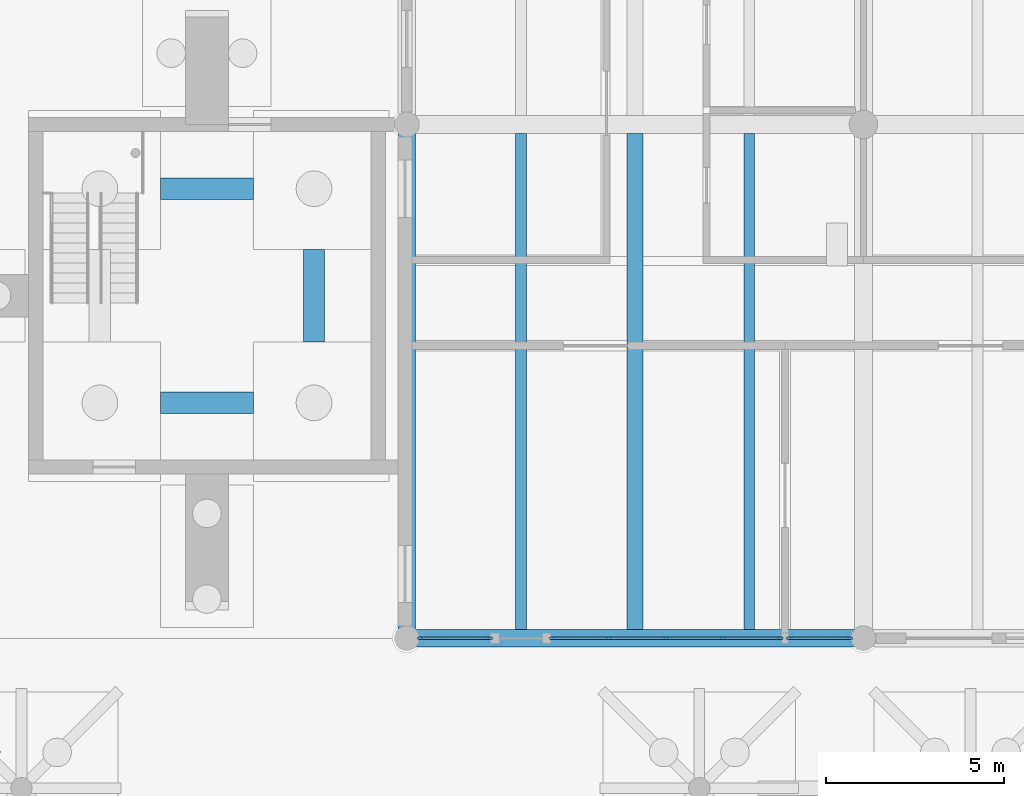
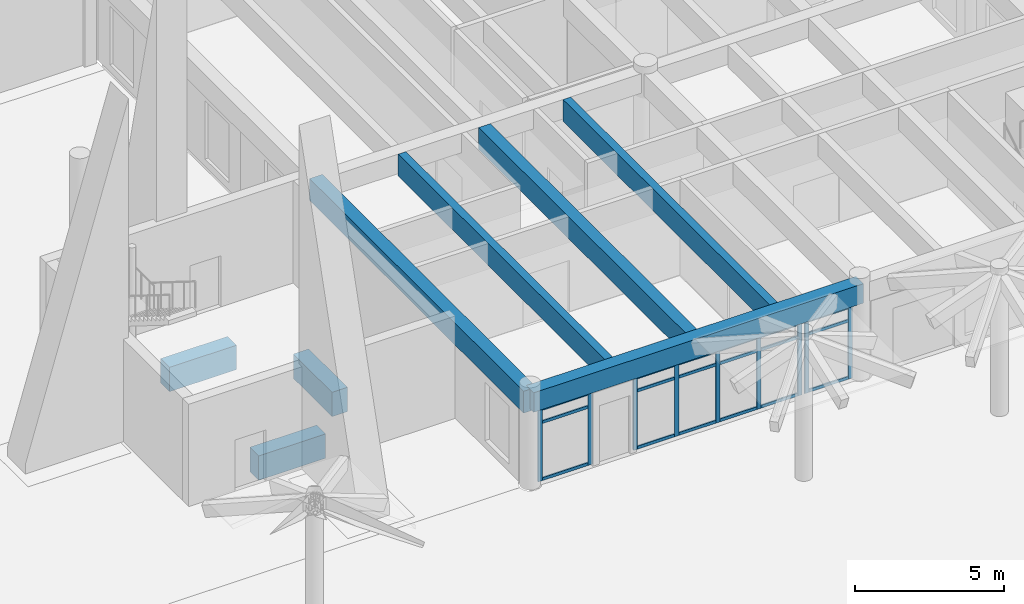
# One storey, part 7 of 28: 27 members, 8 beams, 3 elements without a shape of their own.
"""IFC4 building model written with IfcOpenShell, lengths in metres."""

from ifc_helpers import new_model, si_unit, direction, frame, origin, origin_2d, place, context, subcontext, project, spatial, rectangle, extrude, material, layer, layer_set, material_profile, profile_set, type_object, element, aggregate, save


model = new_model("IFC4")

# Units and contexts
model_context = context("Model", 3, precision=1e-05, world=origin(), true_north=direction((0.0, 1.0)))
body_context = subcontext(model_context, "Body", "Model", "MODEL_VIEW")
ifc_project = project(units=[si_unit("LENGTHUNIT", "METRE"), si_unit("AREAUNIT", "SQUARE_METRE"), si_unit("VOLUMEUNIT", "CUBIC_METRE"), si_unit("PLANEANGLEUNIT", "RADIAN"), si_unit("MASSUNIT", "GRAM", prefix="KILO")], contexts=[model_context])

# Site, building, storey
site_placement = place(None, origin())
site = spatial("IfcSite", under=ifc_project, at=site_placement, CompositionType="ELEMENT")
building_placement = place(site_placement, origin())
building = spatial("IfcBuilding", under=site, at=building_placement, Name="Fogon Plaza Fire Station and Headquarters Tower", CompositionType="ELEMENT")
storey_placement = place(building_placement, origin())
storey = spatial("IfcBuildingStorey", under=building, at=storey_placement, Name="L00", CompositionType="ELEMENT", Elevation=0.0)

# Beams
ifc_material_1 = material(Name="Concrete C40", Category="concrete")
ifc_material_profile_1 = material_profile(ifc_material_1, rectangle(XDim=0.5, YDim=0.800048828125, at=origin_2d()), Name="RC 500x800")
ifc_profile_set_1 = profile_set([ifc_material_profile_1], Name="Concrete C40")
beam_type_1 = type_object("IfcBeamType", Name="BEAM RC 500x800", PredefinedType="BEAM", material=ifc_profile_set_1)
beam_1_placement = place(storey_placement, frame((76.800048828125, 0.0, 3.5), z_axis=(-1.0, 0.0, 0.0), x_axis=(0.0, -1.0, 0.0)))
element("IfcBeam", 1, at=beam_1_placement, inside=storey, type_object=beam_type_1, Name="beam-L00-004", PredefinedType="BEAM", context=body_context, shape_type="SweptSolid", body=[
    extrude(rectangle(XDim=0.5, YDim=0.800048828125, at=origin_2d()), origin(), (0.0, 0.0, 1.0), 12.800048828125),
])
ifc_material_2 = material(Name="Concrete C40", Category="concrete")
ifc_material_profile_2 = material_profile(ifc_material_2, rectangle(XDim=0.5, YDim=0.89990234375, at=origin_2d()), Name="RC 500x900")
ifc_profile_set_2 = profile_set([ifc_material_profile_2], Name="Concrete C40")
beam_type_2 = type_object("IfcBeamType", Name="BEAM RC 500x900", PredefinedType="BEAM", material=ifc_profile_set_2)
beam_2_placement = place(storey_placement, frame((64.0, 0.0, 3.449951171875), z_axis=(0.0, 1.0, 0.0), x_axis=(-1.0, 0.0, 0.0)))
element("IfcBeam", 2, at=beam_2_placement, inside=storey, type_object=beam_type_2, Name="beam-L00-032", PredefinedType="BEAM", context=body_context, shape_type="SweptSolid", body=[
    extrude(rectangle(XDim=0.5, YDim=0.89990234375, at=origin_2d()), origin(), (0.0, 0.0, 1.0), 14.39990234375),
])
ifc_material_3 = material(Name="Concrete C40", Category="concrete")
ifc_material_profile_3 = material_profile(ifc_material_3, rectangle(XDim=0.60009765625, YDim=1.0, at=origin_2d()), Name="RC 600x1000")
ifc_profile_set_3 = profile_set([ifc_material_profile_3], Name="Concrete C40")
beam_type_3 = type_object("IfcBeamType", Name="BEAM RC 600x1000", PredefinedType="BEAM", material=ifc_profile_set_3)
for number, where, z_axis, x_axis, name in (
    (3, (57.10009765625, 6.60009765625, -0.75), (1.0, 0.0, 0.0), (0.0, 1.0, 0.0), "beam-L00-TD1"),
    (4, (57.10009765625, 12.60009765625, -0.75), (1.0, 0.0, 0.0), (0.0, 1.0, 0.0), "beam-L00-TD2"),
    (5, (61.39990234375, 8.300048828125, -0.75), (0.0, 1.0, 0.0), (-1.0, 0.0, 0.0), "beam-L00-TD4"),
):
    element("IfcBeam", number, at=place(storey_placement, frame(where, z_axis=z_axis, x_axis=x_axis)), inside=storey, type_object=beam_type_3, Name=name, PredefinedType="BEAM", context=body_context, shape_type="SweptSolid", body=[
        extrude(rectangle(XDim=0.60009765625, YDim=1.0, at=origin_2d()), origin(), (0.0, 0.0, 1.0), 2.599853515625),
    ])

# Curtain wall, members
ifc_material_4 = material(Name="Aluminium and glass", Category="aluminium")
ifc_layer_1 = layer(ifc_material_4, 0.14990234375)
ifc_layer_set_1 = layer_set([ifc_layer_1], Name="Aluminium and glass")
curtain_wall_type_1 = type_object("IfcCurtainWallType", Name="Unitised Curtain Wall Run 2000x3000", PredefinedType="NOTDEFINED", material=ifc_layer_set_1)
curtain_wall_1_placement = place(storey_placement, origin())
curtain_wall_1 = element("IfcCurtainWall", 6, at=curtain_wall_1_placement, inside=storey, type_object=curtain_wall_type_1, Name="CW-2000x3000 ES L00", PredefinedType="NOTDEFINED")
ifc_material_5 = material(Name="Aluminium", Category="aluminium")
ifc_material_profile_4 = material_profile(ifc_material_5, rectangle(XDim=0.06005859375, YDim=0.159912109375, at=origin_2d()), Name="Curtain Wall Mullion 60x160")
ifc_profile_set_4 = profile_set([ifc_material_profile_4], Name="Aluminium")
member_type_1 = type_object("IfcMemberType", Name="Curtain Wall Mullion 60x160", PredefinedType="MULLION", material=ifc_profile_set_4)
member_1_placement = place(storey_placement, frame((64.3798828125, 0.0, 0.0), z_axis=(0.0, 0.0, 1.0), x_axis=(0.0, 1.0, 0.0)))
member_1 = element("IfcMember", 7, at=member_1_placement, type_object=member_type_1, Name="CW-2000x3000 mullion 1", PredefinedType="MULLION", context=body_context, shape_type="SweptSolid", body=[
    extrude(rectangle(XDim=0.06005859375, YDim=0.159912109375, at=origin_2d()), origin(), (0.0, 0.0, 1.0), 3.0),
])
member_2_placement = place(storey_placement, frame((66.320068359375, 0.0, 0.0), z_axis=(0.0, 0.0, 1.0), x_axis=(0.0, 1.0, 0.0)))
member_2 = element("IfcMember", 8, at=member_2_placement, type_object=member_type_1, Name="CW-2000x3000 mullion 2", PredefinedType="MULLION", context=body_context, shape_type="SweptSolid", body=[
    extrude(rectangle(XDim=0.06005859375, YDim=0.159912109375, at=origin_2d()), origin(), (0.0, 0.0, 1.0), 3.0),
])

ifc_material_6 = material(Name="Aluminium and glass", Category="aluminium")
ifc_layer_2 = layer(ifc_material_6, 0.14990234375)
ifc_layer_set_2 = layer_set([ifc_layer_2], Name="Aluminium and glass")
curtain_wall_type_2 = type_object("IfcCurtainWallType", Name="Unitised Curtain Wall Run 6450x3000", PredefinedType="NOTDEFINED", material=ifc_layer_set_2)
curtain_wall_2_placement = place(storey_placement, origin())
curtain_wall_2 = element("IfcCurtainWall", 9, at=curtain_wall_2_placement, inside=storey, type_object=curtain_wall_type_2, Name="CW-6450x3000 ES L00", PredefinedType="NOTDEFINED")
member_3_placement = place(storey_placement, frame((68.080078125, 0.0, 0.0), z_axis=(0.0, 0.0, 1.0), x_axis=(0.0, 1.0, 0.0)))
member_3 = element("IfcMember", 10, at=member_3_placement, type_object=member_type_1, Name="CW-6450x3000 mullion 1", PredefinedType="MULLION", context=body_context, shape_type="SweptSolid", body=[
    extrude(rectangle(XDim=0.06005859375, YDim=0.159912109375, at=origin_2d()), origin(), (0.0, 0.0, 1.0), 3.0),
])
member_4_placement = place(storey_placement, frame((69.677490234375, 0.0, 0.0), z_axis=(0.0, 0.0, 1.0), x_axis=(0.0, 1.0, 0.0)))
member_4 = element("IfcMember", 11, at=member_4_placement, type_object=member_type_1, Name="CW-6450x3000 mullion 2", PredefinedType="MULLION", context=body_context, shape_type="SweptSolid", body=[
    extrude(rectangle(XDim=0.06005859375, YDim=0.159912109375, at=origin_2d()), origin(), (0.0, 0.0, 1.0), 3.0),
])
member_5_placement = place(storey_placement, frame((71.27490234375, 0.0, 0.0), z_axis=(0.0, 0.0, 1.0), x_axis=(0.0, 1.0, 0.0)))
member_5 = element("IfcMember", 12, at=member_5_placement, type_object=member_type_1, Name="CW-6450x3000 mullion 3", PredefinedType="MULLION", context=body_context, shape_type="SweptSolid", body=[
    extrude(rectangle(XDim=0.06005859375, YDim=0.159912109375, at=origin_2d()), origin(), (0.0, 0.0, 1.0), 3.0),
])
member_6_placement = place(storey_placement, frame((72.87255859375, 0.0, 0.0), z_axis=(0.0, 0.0, 1.0), x_axis=(0.0, 1.0, 0.0)))
member_6 = element("IfcMember", 13, at=member_6_placement, type_object=member_type_1, Name="CW-6450x3000 mullion 4", PredefinedType="MULLION", context=body_context, shape_type="SweptSolid", body=[
    extrude(rectangle(XDim=0.06005859375, YDim=0.159912109375, at=origin_2d()), origin(), (0.0, 0.0, 1.0), 3.0),
])
member_7_placement = place(storey_placement, frame((74.469970703125, 0.0, 0.0), z_axis=(0.0, 0.0, 1.0), x_axis=(0.0, 1.0, 0.0)))
member_7 = element("IfcMember", 14, at=member_7_placement, type_object=member_type_1, Name="CW-6450x3000 mullion 5", PredefinedType="MULLION", context=body_context, shape_type="SweptSolid", body=[
    extrude(rectangle(XDim=0.06005859375, YDim=0.159912109375, at=origin_2d()), origin(), (0.0, 0.0, 1.0), 3.0),
])

ifc_material_7 = material(Name="Aluminium and glass", Category="aluminium")
ifc_layer_3 = layer(ifc_material_7, 0.14990234375)
ifc_layer_set_3 = layer_set([ifc_layer_3], Name="Aluminium and glass")
curtain_wall_type_3 = type_object("IfcCurtainWallType", Name="Unitised Curtain Wall Run 1750x3000", PredefinedType="NOTDEFINED", material=ifc_layer_set_3)
curtain_wall_3_placement = place(storey_placement, origin())
curtain_wall_3 = element("IfcCurtainWall", 15, at=curtain_wall_3_placement, inside=storey, type_object=curtain_wall_type_3, Name="CW-1750x3000 ES L00", PredefinedType="NOTDEFINED")
member_8_placement = place(storey_placement, frame((74.72998046875, 0.0, 0.0), z_axis=(0.0, 0.0, 1.0), x_axis=(0.0, 1.0, 0.0)))
member_8 = element("IfcMember", 16, at=member_8_placement, type_object=member_type_1, Name="CW-1750x3000 mullion 1", PredefinedType="MULLION", context=body_context, shape_type="SweptSolid", body=[
    extrude(rectangle(XDim=0.06005859375, YDim=0.159912109375, at=origin_2d()), origin(), (0.0, 0.0, 1.0), 3.0),
])
member_9_placement = place(storey_placement, frame((76.419921875, 0.0, 0.0), z_axis=(0.0, 0.0, 1.0), x_axis=(0.0, 1.0, 0.0)))
member_9 = element("IfcMember", 17, at=member_9_placement, type_object=member_type_1, Name="CW-1750x3000 mullion 2", PredefinedType="MULLION", context=body_context, shape_type="SweptSolid", body=[
    extrude(rectangle(XDim=0.06005859375, YDim=0.159912109375, at=origin_2d()), origin(), (0.0, 0.0, 1.0), 3.0),
])

# Member
ifc_material_8 = material(Name="Aluminium", Category="aluminium")
ifc_material_profile_5 = material_profile(ifc_material_8, rectangle(XDim=0.06005859375, YDim=0.1201171875, at=origin_2d()), Name="Curtain Wall Transom 60x120")
ifc_profile_set_5 = profile_set([ifc_material_profile_5], Name="Aluminium")
member_type_2 = type_object("IfcMemberType", Name="Curtain Wall Transom 60x120", PredefinedType="USERDEFINED", material=ifc_profile_set_5)
member_10_placement = place(storey_placement, frame((64.409912109375, 0.0, 0.06005859375), z_axis=(1.0, 0.0, 0.0), x_axis=(0.0, 1.0, 0.0)))
member_10 = element("IfcMember", 18, at=member_10_placement, type_object=member_type_2, Name="CW-2000x3000 transom 1.1", ObjectType="TRANSOM", PredefinedType="USERDEFINED", context=body_context, shape_type="SweptSolid", body=[
    extrude(rectangle(XDim=0.06005859375, YDim=0.1201171875, at=origin_2d()), origin(), (0.0, 0.0, 1.0), 1.880126953125),
])

member_11_placement = place(storey_placement, frame((64.409912109375, 0.0, 2.39990234375), z_axis=(1.0, 0.0, 0.0), x_axis=(0.0, 1.0, 0.0)))
member_11 = element("IfcMember", 19, at=member_11_placement, type_object=member_type_2, Name="CW-2000x3000 transom 1.2", ObjectType="TRANSOM", PredefinedType="USERDEFINED", context=body_context, shape_type="SweptSolid", body=[
    extrude(rectangle(XDim=0.06005859375, YDim=0.1201171875, at=origin_2d()), origin(), (0.0, 0.0, 1.0), 1.880126953125),
])

member_12_placement = place(storey_placement, frame((64.409912109375, 0.0, 2.93994140625), z_axis=(1.0, 0.0, 0.0), x_axis=(0.0, 1.0, 0.0)))
member_12 = element("IfcMember", 20, at=member_12_placement, type_object=member_type_2, Name="CW-2000x3000 transom 1.3", ObjectType="TRANSOM", PredefinedType="USERDEFINED", context=body_context, shape_type="SweptSolid", body=[
    extrude(rectangle(XDim=0.06005859375, YDim=0.1201171875, at=origin_2d()), origin(), (0.0, 0.0, 1.0), 1.880126953125),
])

aggregate(curtain_wall_1, [member_1, member_2, member_10, member_11, member_12])

member_13_placement = place(storey_placement, frame((68.110107421875, 0.0, 0.06005859375), z_axis=(1.0, 0.0, 0.0), x_axis=(0.0, 1.0, 0.0)))
member_13 = element("IfcMember", 21, at=member_13_placement, type_object=member_type_2, Name="CW-6450x3000 transom 1.1", ObjectType="TRANSOM", PredefinedType="USERDEFINED", context=body_context, shape_type="SweptSolid", body=[
    extrude(rectangle(XDim=0.06005859375, YDim=0.1201171875, at=origin_2d()), origin(), (0.0, 0.0, 1.0), 1.537353515625),
])

member_14_placement = place(storey_placement, frame((68.110107421875, 0.0, 2.39990234375), z_axis=(1.0, 0.0, 0.0), x_axis=(0.0, 1.0, 0.0)))
member_14 = element("IfcMember", 22, at=member_14_placement, type_object=member_type_2, Name="CW-6450x3000 transom 1.2", ObjectType="TRANSOM", PredefinedType="USERDEFINED", context=body_context, shape_type="SweptSolid", body=[
    extrude(rectangle(XDim=0.06005859375, YDim=0.1201171875, at=origin_2d()), origin(), (0.0, 0.0, 1.0), 1.537353515625),
])

member_15_placement = place(storey_placement, frame((68.110107421875, 0.0, 2.93994140625), z_axis=(1.0, 0.0, 0.0), x_axis=(0.0, 1.0, 0.0)))
member_15 = element("IfcMember", 23, at=member_15_placement, type_object=member_type_2, Name="CW-6450x3000 transom 1.3", ObjectType="TRANSOM", PredefinedType="USERDEFINED", context=body_context, shape_type="SweptSolid", body=[
    extrude(rectangle(XDim=0.06005859375, YDim=0.1201171875, at=origin_2d()), origin(), (0.0, 0.0, 1.0), 1.537353515625),
])

member_16_placement = place(storey_placement, frame((69.70751953125, 0.0, 0.06005859375), z_axis=(1.0, 0.0, 0.0), x_axis=(0.0, 1.0, 0.0)))
member_16 = element("IfcMember", 24, at=member_16_placement, type_object=member_type_2, Name="CW-6450x3000 transom 2.1", ObjectType="TRANSOM", PredefinedType="USERDEFINED", context=body_context, shape_type="SweptSolid", body=[
    extrude(rectangle(XDim=0.06005859375, YDim=0.1201171875, at=origin_2d()), origin(), (0.0, 0.0, 1.0), 1.53759765625),
])

member_17_placement = place(storey_placement, frame((69.70751953125, 0.0, 2.39990234375), z_axis=(1.0, 0.0, 0.0), x_axis=(0.0, 1.0, 0.0)))
member_17 = element("IfcMember", 25, at=member_17_placement, type_object=member_type_2, Name="CW-6450x3000 transom 2.2", ObjectType="TRANSOM", PredefinedType="USERDEFINED", context=body_context, shape_type="SweptSolid", body=[
    extrude(rectangle(XDim=0.06005859375, YDim=0.1201171875, at=origin_2d()), origin(), (0.0, 0.0, 1.0), 1.53759765625),
])

member_18_placement = place(storey_placement, frame((69.70751953125, 0.0, 2.93994140625), z_axis=(1.0, 0.0, 0.0), x_axis=(0.0, 1.0, 0.0)))
member_18 = element("IfcMember", 26, at=member_18_placement, type_object=member_type_2, Name="CW-6450x3000 transom 2.3", ObjectType="TRANSOM", PredefinedType="USERDEFINED", context=body_context, shape_type="SweptSolid", body=[
    extrude(rectangle(XDim=0.06005859375, YDim=0.1201171875, at=origin_2d()), origin(), (0.0, 0.0, 1.0), 1.53759765625),
])

member_19_placement = place(storey_placement, frame((71.304931640625, 0.0, 0.06005859375), z_axis=(1.0, 0.0, 0.0), x_axis=(0.0, 1.0, 0.0)))
member_19 = element("IfcMember", 27, at=member_19_placement, type_object=member_type_2, Name="CW-6450x3000 transom 3.1", ObjectType="TRANSOM", PredefinedType="USERDEFINED", context=body_context, shape_type="SweptSolid", body=[
    extrude(rectangle(XDim=0.06005859375, YDim=0.1201171875, at=origin_2d()), origin(), (0.0, 0.0, 1.0), 1.53759765625),
])

member_20_placement = place(storey_placement, frame((71.304931640625, 0.0, 2.39990234375), z_axis=(1.0, 0.0, 0.0), x_axis=(0.0, 1.0, 0.0)))
member_20 = element("IfcMember", 28, at=member_20_placement, type_object=member_type_2, Name="CW-6450x3000 transom 3.2", ObjectType="TRANSOM", PredefinedType="USERDEFINED", context=body_context, shape_type="SweptSolid", body=[
    extrude(rectangle(XDim=0.06005859375, YDim=0.1201171875, at=origin_2d()), origin(), (0.0, 0.0, 1.0), 1.53759765625),
])

member_21_placement = place(storey_placement, frame((71.304931640625, 0.0, 2.93994140625), z_axis=(1.0, 0.0, 0.0), x_axis=(0.0, 1.0, 0.0)))
member_21 = element("IfcMember", 29, at=member_21_placement, type_object=member_type_2, Name="CW-6450x3000 transom 3.3", ObjectType="TRANSOM", PredefinedType="USERDEFINED", context=body_context, shape_type="SweptSolid", body=[
    extrude(rectangle(XDim=0.06005859375, YDim=0.1201171875, at=origin_2d()), origin(), (0.0, 0.0, 1.0), 1.53759765625),
])

member_22_placement = place(storey_placement, frame((72.902587890625, 0.0, 0.06005859375), z_axis=(1.0, 0.0, 0.0), x_axis=(0.0, 1.0, 0.0)))
member_22 = element("IfcMember", 30, at=member_22_placement, type_object=member_type_2, Name="CW-6450x3000 transom 4.1", ObjectType="TRANSOM", PredefinedType="USERDEFINED", context=body_context, shape_type="SweptSolid", body=[
    extrude(rectangle(XDim=0.06005859375, YDim=0.1201171875, at=origin_2d()), origin(), (0.0, 0.0, 1.0), 1.537353515625),
])

member_23_placement = place(storey_placement, frame((72.902587890625, 0.0, 2.39990234375), z_axis=(1.0, 0.0, 0.0), x_axis=(0.0, 1.0, 0.0)))
member_23 = element("IfcMember", 31, at=member_23_placement, type_object=member_type_2, Name="CW-6450x3000 transom 4.2", ObjectType="TRANSOM", PredefinedType="USERDEFINED", context=body_context, shape_type="SweptSolid", body=[
    extrude(rectangle(XDim=0.06005859375, YDim=0.1201171875, at=origin_2d()), origin(), (0.0, 0.0, 1.0), 1.537353515625),
])

member_24_placement = place(storey_placement, frame((72.902587890625, 0.0, 2.93994140625), z_axis=(1.0, 0.0, 0.0), x_axis=(0.0, 1.0, 0.0)))
member_24 = element("IfcMember", 32, at=member_24_placement, type_object=member_type_2, Name="CW-6450x3000 transom 4.3", ObjectType="TRANSOM", PredefinedType="USERDEFINED", context=body_context, shape_type="SweptSolid", body=[
    extrude(rectangle(XDim=0.06005859375, YDim=0.1201171875, at=origin_2d()), origin(), (0.0, 0.0, 1.0), 1.537353515625),
])

aggregate(curtain_wall_2, [member_3, member_4, member_5, member_6, member_7, member_13, member_14, member_15, member_16, member_17, member_18, member_19, member_20, member_21, member_22, member_23, member_24])

member_25_placement = place(storey_placement, frame((74.760009765625, 0.0, 0.06005859375), z_axis=(1.0, 0.0, 0.0), x_axis=(0.0, 1.0, 0.0)))
member_25 = element("IfcMember", 33, at=member_25_placement, type_object=member_type_2, Name="CW-1750x3000 transom 1.1", ObjectType="TRANSOM", PredefinedType="USERDEFINED", context=body_context, shape_type="SweptSolid", body=[
    extrude(rectangle(XDim=0.06005859375, YDim=0.1201171875, at=origin_2d()), origin(), (0.0, 0.0, 1.0), 1.6298828125),
])

member_26_placement = place(storey_placement, frame((74.760009765625, 0.0, 2.39990234375), z_axis=(1.0, 0.0, 0.0), x_axis=(0.0, 1.0, 0.0)))
member_26 = element("IfcMember", 34, at=member_26_placement, type_object=member_type_2, Name="CW-1750x3000 transom 1.2", ObjectType="TRANSOM", PredefinedType="USERDEFINED", context=body_context, shape_type="SweptSolid", body=[
    extrude(rectangle(XDim=0.06005859375, YDim=0.1201171875, at=origin_2d()), origin(), (0.0, 0.0, 1.0), 1.6298828125),
])

member_27_placement = place(storey_placement, frame((74.760009765625, 0.0, 2.93994140625), z_axis=(1.0, 0.0, 0.0), x_axis=(0.0, 1.0, 0.0)))
member_27 = element("IfcMember", 35, at=member_27_placement, type_object=member_type_2, Name="CW-1750x3000 transom 1.3", ObjectType="TRANSOM", PredefinedType="USERDEFINED", context=body_context, shape_type="SweptSolid", body=[
    extrude(rectangle(XDim=0.06005859375, YDim=0.1201171875, at=origin_2d()), origin(), (0.0, 0.0, 1.0), 1.6298828125),
])

aggregate(curtain_wall_3, [member_8, member_9, member_25, member_26, member_27])

# Beams
ifc_material_9 = material(Name="Concrete C40", Category="concrete")
ifc_material_profile_6 = material_profile(ifc_material_9, rectangle(XDim=0.300048828125, YDim=0.89990234375, at=origin_2d()), Name="RC 300x900")
ifc_profile_set_6 = profile_set([ifc_material_profile_6], Name="Concrete C40")
beam_type_4 = type_object("IfcBeamType", Name="JOIST RC 300x900", PredefinedType="JOIST", material=ifc_profile_set_6)
for number, where, z_axis, x_axis, name in (
    (36, (73.60009765625, 0.25, 3.449951171875), (0.0, 1.0, 0.0), (-1.0, 0.0, 0.0), "beam-L00-068"),
    (37, (67.199951171875, 0.25, 3.449951171875), (0.0, 1.0, 0.0), (-1.0, 0.0, 0.0), "beam-L00-076"),
):
    element("IfcBeam", number, at=place(storey_placement, frame(where, z_axis=z_axis, x_axis=x_axis)), inside=storey, type_object=beam_type_4, Name=name, PredefinedType="JOIST", context=body_context, shape_type="SweptSolid", body=[
        extrude(rectangle(XDim=0.300048828125, YDim=0.89990234375, at=origin_2d()), origin(), (0.0, 0.0, 1.0), 13.89990234375),
    ])
ifc_material_10 = material(Name="Concrete C40", Category="concrete")
ifc_material_profile_7 = material_profile(ifc_material_10, rectangle(XDim=0.449951171875, YDim=0.89990234375, at=origin_2d()), Name="RC 450x900")
ifc_profile_set_7 = profile_set([ifc_material_profile_7], Name="Concrete C40")
beam_type_5 = type_object("IfcBeamType", Name="JOIST RC 450x900", PredefinedType="JOIST", material=ifc_profile_set_7)
beam_3_placement = place(storey_placement, frame((70.39990234375, 0.25, 3.449951171875), z_axis=(0.0, 1.0, 0.0), x_axis=(-1.0, 0.0, 0.0)))
element("IfcBeam", 38, at=beam_3_placement, inside=storey, type_object=beam_type_5, Name="beam-L00-048", PredefinedType="JOIST", context=body_context, shape_type="SweptSolid", body=[
    extrude(rectangle(XDim=0.449951171875, YDim=0.89990234375, at=origin_2d()), origin(), (0.0, 0.0, 1.0), 13.89990234375),
])

save(model, "model.ifc")
